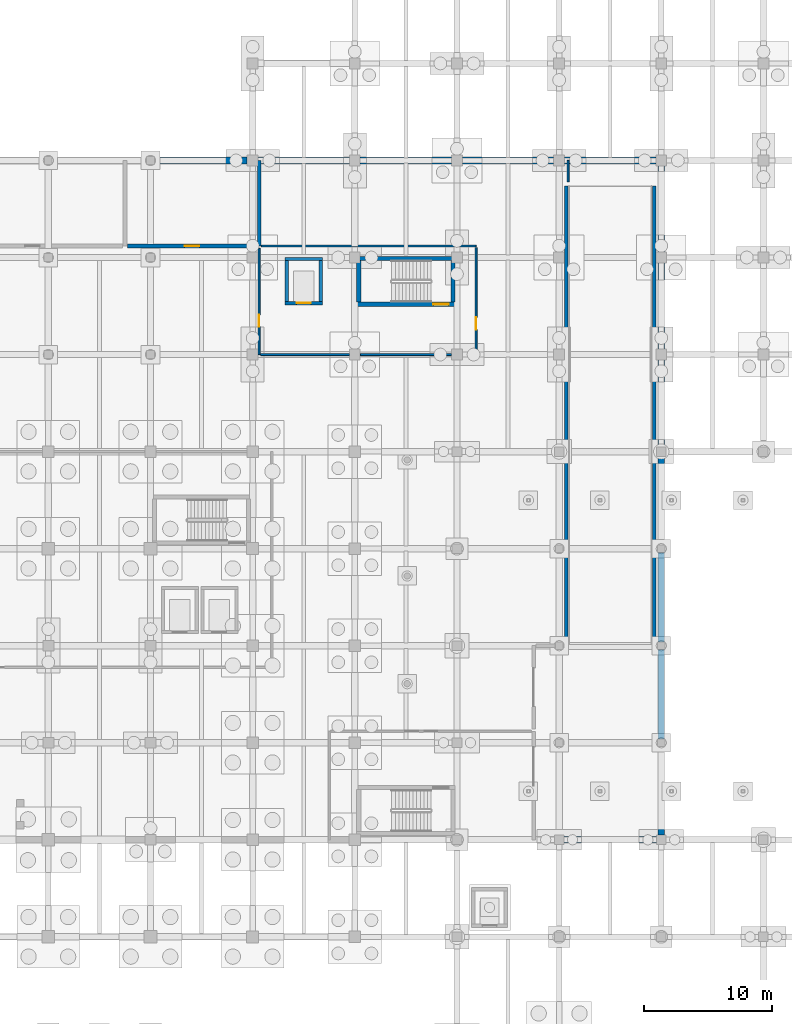
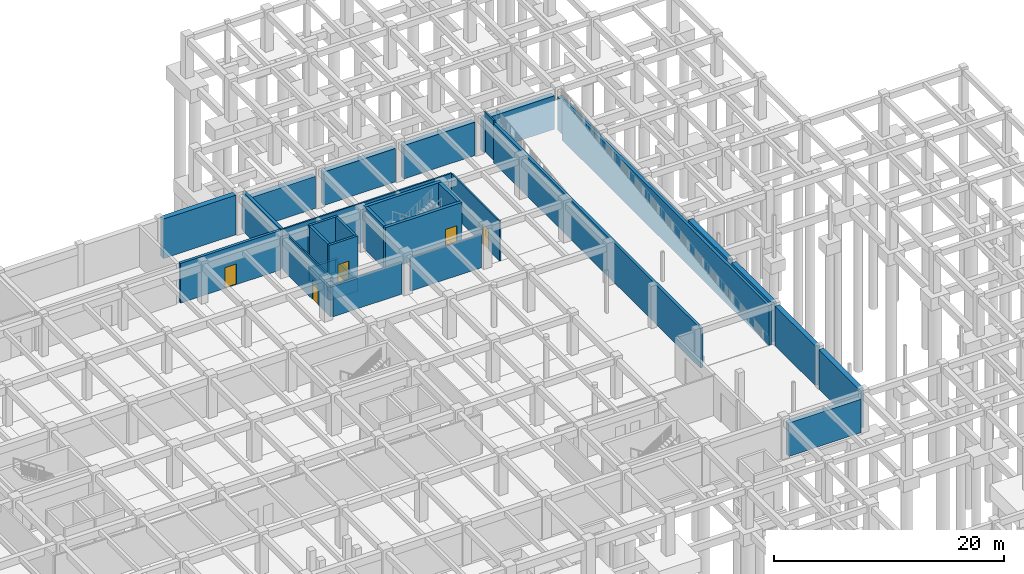
# One storey, part 38 of 49: 35 walls, 5 doors, 5 openings.
"""IFC4 building model written with IfcOpenShell, lengths in metres."""

import ifcopenshell
import ifcopenshell.guid

model = None  # the IFC model being written
_history = None  # IfcOwnerHistory: only IFC2X3 demands one
_inside = {}  # id of a spatial element -> (the spatial element, [elements in it])
_under = {}  # id of a project, library or spatial element -> (it, [spatial elements below it])
_declared = {}  # id of a project -> (the project, [libraries it declares])
_typed = {}  # id of a type object -> (the type object, [elements of that type])
_made_of = {}  # id of a material, layer set ... -> (it, [elements and type objects made of it])


def new_model(schema):
    """Start an empty IFC model of exactly this schema.

    Asked for "IFC4X3", IfcOpenShell would pick the latest addendum, in which some entities
    have other attributes; the version numbers below select the first issue.
    IFC2X3 requires an IfcOwnerHistory on every rooted entity: one is made here for all.
    """
    global model, _history
    if schema == "IFC4X3":
        model = ifcopenshell.file(schema_version=(4, 3, 0, 0))
    else:
        model = ifcopenshell.file(schema=schema)
    _inside.clear()
    _under.clear()
    _declared.clear()
    _typed.clear()
    _made_of.clear()
    _history = None
    if model.schema == "IFC2X3":
        org = make("IfcOrganization", Name="unknown")
        user = make(
            "IfcPersonAndOrganization",
            ThePerson=make("IfcPerson", FamilyName="unknown"),
            TheOrganization=org,
        )
        app = make(
            "IfcApplication",
            ApplicationDeveloper=org,
            Version="unknown",
            ApplicationFullName="unknown",
            ApplicationIdentifier="unknown",
        )
        _history = make(
            "IfcOwnerHistory",
            OwningUser=user,
            OwningApplication=app,
            ChangeAction="ADDED",
            CreationDate=0,
        )
    return model


def make(cls, **values):
    """One entity of the class cls with the attributes given. An attribute that is None is left unset."""
    return model.create_entity(
        cls, **{name: value for name, value in values.items() if value is not None}
    )


def rooted(cls, **values):
    """An entity with a GlobalId (a new one), such as an element, a storey or a relation."""
    return make(cls, GlobalId=ifcopenshell.guid.new(), OwnerHistory=_history, **values)


def si_unit(unit_type, name, prefix=None):
    """IfcSIUnit, for example si_unit("LENGTHUNIT", "METRE", prefix="MILLI")."""
    return make("IfcSIUnit", UnitType=unit_type, Prefix=prefix, Name=name)


def assignment(units):
    """IfcUnitAssignment: the units of a project."""
    return None if units is None else make("IfcUnitAssignment", Units=units)


def point(xyz):
    """IfcCartesianPoint."""
    return None if xyz is None else make("IfcCartesianPoint", Coordinates=xyz)


def direction(xyz):
    """IfcDirection."""
    return None if xyz is None else make("IfcDirection", DirectionRatios=xyz)


def frame(location, z_axis=None, x_axis=None):
    """IfcAxis2Placement3D, a coordinate frame: its origin and axes. An axis left out is left unset."""
    return make(
        "IfcAxis2Placement3D",
        Location=point(location),
        Axis=direction(z_axis),
        RefDirection=direction(x_axis),
    )


def frame_2d(location, x_axis=None):
    """IfcAxis2Placement2D, a coordinate frame in the plane: its origin and x axis."""
    return make(
        "IfcAxis2Placement2D", Location=point(location), RefDirection=direction(x_axis)
    )


def origin():
    """The frame at (0, 0, 0) with its axes left unset."""
    return frame((0.0, 0.0, 0.0))


def place(relative_to, where):
    """IfcLocalPlacement: puts the frame where relative to a parent placement (None: the world)."""
    return make(
        "IfcLocalPlacement", PlacementRelTo=relative_to, RelativePlacement=where
    )


def context(
    kind, dimensions, precision=None, world=None, true_north=None, identifier=None
):
    """IfcGeometricRepresentationContext, for example the 3D "Model" context."""
    return make(
        "IfcGeometricRepresentationContext",
        ContextIdentifier=identifier,
        ContextType=kind,
        CoordinateSpaceDimension=dimensions,
        Precision=precision,
        WorldCoordinateSystem=world,
        TrueNorth=true_north,
    )


def subcontext(parent, identifier, kind, view, scale=None):
    """IfcGeometricRepresentationSubContext, for example "Body" below "Model"."""
    return make(
        "IfcGeometricRepresentationSubContext",
        ContextIdentifier=identifier,
        ContextType=kind,
        ParentContext=parent,
        TargetScale=scale,
        TargetView=view,
    )


def project(units=None, contexts=None):
    """IfcProject with its units and contexts."""
    return rooted(
        "IfcProject",
        Name="project",
        RepresentationContexts=contexts,
        UnitsInContext=assignment(units),
    )


def spatial(cls, under=None, at=None, **own):
    """A site, building, storey or space (cls), placed at a placement, below another one or the project."""
    s = rooted(cls, ObjectPlacement=at, **own)
    if under is not None:
        _under.setdefault(under.id(), (under, []))[1].append(s)
    return s


def profile(cls, at=None, kind="AREA", **sizes):
    """A parametric profile (cls). Its sizes go by their IFC names, for example OverallWidth=200.0."""
    return make(cls, ProfileType=kind, Position=at, **sizes)


def rectangle(**sizes):
    """IfcRectangleProfileDef."""
    return profile("IfcRectangleProfileDef", **sizes)


def extrude(swept, where, along, depth):
    """IfcExtrudedAreaSolid: the profile swept, set in the frame where, extruded along a direction by depth."""
    return make(
        "IfcExtrudedAreaSolid",
        SweptArea=swept,
        Position=where,
        ExtrudedDirection=direction(along),
        Depth=depth,
    )


def shape(context_of_items, identifier, shape_type, items):
    """IfcShapeRepresentation: the items that make up one representation, for example the "Body"."""
    return make(
        "IfcShapeRepresentation",
        ContextOfItems=context_of_items,
        RepresentationIdentifier=identifier,
        RepresentationType=shape_type,
        Items=items,
    )


def material(Name=None, Category=None):
    """IfcMaterial."""
    return make("IfcMaterial", Name=Name, Category=Category)


def layer(
    of_material, thickness, ventilated=None, Name=None, Category=None, Priority=None
):
    """IfcMaterialLayer: one layer of a wall or slab, of a material (None: an air gap)."""
    return make(
        "IfcMaterialLayer",
        Material=of_material,
        LayerThickness=thickness,
        IsVentilated=ventilated,
        Name=Name,
        Category=Category,
        Priority=Priority,
    )


def layer_set(layers, Name=None):
    """IfcMaterialLayerSet."""
    return make("IfcMaterialLayerSet", MaterialLayers=layers, LayerSetName=Name)


def made_of(thing, what):
    """Note that an element or type object is made of a material, layer set ...; save() writes the relation."""
    if what is not None:
        _made_of.setdefault(what.id(), (what, []))[1].append(thing)
    return thing


def type_object(cls, material=None, **own):
    """A type object (cls), such as IfcWallType, which elements share."""
    return made_of(rooted(cls, **own), material)


def element(
    cls,
    number,
    at=None,
    inside=None,
    cuts=None,
    type_object=None,
    material=None,
    context=None,
    identifier="Body",
    shape_type=None,
    held_by="IfcProductDefinitionShape",
    body=None,
    shapes=None,
    **own,
):
    """One element of the class cls, such as IfcWall. Its Tag is "e" and its number.

    at: its placement. inside: the storey or other place that contains it. cuts: it is an
    opening in that element (IfcRelVoidsElement). A single representation is given by context,
    identifier, shape_type and body (its items); several are given by shapes. held_by: the class
    of the entity that holds the representations. save() writes the other relations.
    """
    e = rooted(cls, Tag="e%d" % number, ObjectPlacement=at, **own)
    if body is not None:
        shapes = [shape(context, identifier, shape_type, body)]
    if shapes is not None:
        e.Representation = make(held_by, Representations=shapes)
    if inside is not None:
        _inside.setdefault(inside.id(), (inside, []))[1].append(e)
    if cuts is not None:
        rooted(
            "IfcRelVoidsElement", RelatingBuildingElement=cuts, RelatedOpeningElement=e
        )
    if type_object is not None:
        _typed.setdefault(type_object.id(), (type_object, []))[1].append(e)
    return made_of(e, material)


def fill(opening, filler):
    """IfcRelFillsElement: the door or window that sits in an opening."""
    return rooted(
        "IfcRelFillsElement",
        RelatingOpeningElement=opening,
        RelatedBuildingElement=filler,
    )


def aggregate(whole, parts):
    """IfcRelAggregates: a whole, such as a stair, and the parts it consists of."""
    return rooted("IfcRelAggregates", RelatingObject=whole, RelatedObjects=parts)


def save(model, path):
    """Write the relations noted so far, then the file.

    IfcRelAggregates (storeys below a building ...), IfcRelContainedInSpatialStructure (elements
    in a storey), IfcRelDefinesByType, IfcRelAssociatesMaterial and IfcRelDeclares: one each for
    every whole, place, type object, material and project.
    """
    for whole, parts in _under.values():
        aggregate(whole, parts)
    for where, things in _inside.values():
        rooted(
            "IfcRelContainedInSpatialStructure",
            RelatedElements=things,
            RelatingStructure=where,
        )
    for kind, things in _typed.values():
        rooted("IfcRelDefinesByType", RelatedObjects=things, RelatingType=kind)
    for what, things in _made_of.values():
        rooted("IfcRelAssociatesMaterial", RelatedObjects=things, RelatingMaterial=what)
    for by, libraries in _declared.values():
        rooted("IfcRelDeclares", RelatingContext=by, RelatedDefinitions=libraries)
    model.write(path)


model = new_model("IFC4")

# Units and contexts
model_context = context("Model", 3, precision=1e-05, world=origin(), true_north=direction((0.0, 1.0)))
body_context = subcontext(model_context, "Body", "Model", "MODEL_VIEW")
ifc_project = project(units=[si_unit("LENGTHUNIT", "METRE"), si_unit("AREAUNIT", "SQUARE_METRE"), si_unit("VOLUMEUNIT", "CUBIC_METRE"), si_unit("PLANEANGLEUNIT", "RADIAN"), si_unit("MASSUNIT", "GRAM", prefix="KILO")], contexts=[model_context])

# Site, building, storey
site_placement = place(None, origin())
site = spatial("IfcSite", under=ifc_project, at=site_placement, CompositionType="ELEMENT")
building_placement = place(site_placement, origin())
building = spatial("IfcBuilding", under=site, at=building_placement, Name="Zantavel Square City Hall", CompositionType="ELEMENT")
storey_placement = place(building_placement, frame((0.0, 0.0, -4.5)))
storey = spatial("IfcBuildingStorey", under=building, at=storey_placement, Name="B1", CompositionType="ELEMENT", Elevation=-4.5)

# Walls
ifc_material_1 = material(Name="Concrete C35/45", Category="concrete")
ifc_layer_1 = layer(ifc_material_1, 0.280029296875, Name="Concrete C35/45")
ifc_layer_set_1 = layer_set([ifc_layer_1], Name="Concrete C35/45")
wall_type_1 = type_object("IfcWallType", Name="Archive & Substation Vault Wall 280mm", PredefinedType="STANDARD", material=ifc_layer_set_1)
for number, where, z_axis, x_axis, name in (
    (1, (128.56005859375, 53.199951171875, 0.0), (0.0, 0.0, 1.0), (0.0, 1.0, 0.0), "B1 Vehicle Ramp Cheek Wall W"),
    (2, (135.43994140625, 89.199951171875, 0.0), (0.0, 0.0, 1.0), (0.0, -1.0, 0.0), "B1 Vehicle Ramp Cheek Wall E"),
):
    element("IfcWall", number, at=place(storey_placement, frame(where, z_axis=z_axis, x_axis=x_axis)), inside=storey, type_object=wall_type_1, Name=name, PredefinedType="STANDARD", context=body_context, shape_type="SweptSolid", body=[
        extrude(rectangle(XDim=36.0, YDim=0.280029296875, at=frame_2d((18.0, 0.0))), origin(), (0.0, 0.0, 1.0), 4.199951171875),
    ])
wall_1_placement = place(storey_placement, frame((104.5, 91.199951171875, 0.0), z_axis=(0.0, 0.0, 1.0), x_axis=(0.0, -1.0, 0.0)))
element("IfcWall", 3, at=wall_1_placement, inside=storey, type_object=wall_type_1, Name="B1 Interior Wall IW-B1-0021", PredefinedType="STANDARD", context=body_context, shape_type="SweptSolid", body=[
    extrude(rectangle(XDim=6.699951171875, YDim=0.280029296875, at=frame_2d((3.35009765625, 0.0))), origin(), (0.0, 0.0, 1.0), 4.199951171875),
])

# Wall, opening, door
wall_2_placement = place(storey_placement, frame((104.31005859375, 84.5, 0.0), z_axis=(0.0, 0.0, 1.0), x_axis=(-1.0, 0.0, 0.0)))
wall_2 = element("IfcWall", 4, at=wall_2_placement, inside=storey, type_object=wall_type_1, Name="B1 Interior Wall IW-B1-0022", PredefinedType="STANDARD", context=body_context, shape_type="SweptSolid", body=[
    extrude(rectangle(XDim=10.1201171875, YDim=0.280029296875, at=frame_2d((5.06005859375, 0.0))), origin(), (0.0, 0.0, 1.0), 4.199951171875),
])
opening_1_placement = place(wall_2_placement, frame((4.485107421875, 0.0, 0.0)))
opening_1 = element("IfcOpeningElement", 5, at=opening_1_placement, cuts=wall_2, Name="Opening D-0010", PredefinedType="OPENING", context=body_context, shape_type="SweptSolid", body=[
    extrude(rectangle(XDim=1.14990234375, YDim=2.199951171875, at=frame_2d((0.574951171875, 1.10009765625))), frame((0.0, 0.14990234375, 0.0), z_axis=(0.0, -1.0, 0.0), x_axis=(1.0, 0.0, 0.0)), (0.0, 0.0, 1.0), 0.300048828125),
])
ifc_material_2 = material(Name="Steel ASTM A500 Grade B", Category="steel")
door_type_1 = type_object("IfcDoorType", Name="Archive & Plant Fire Door 1150x2200 FD90S", OperationType="NOTDEFINED", PredefinedType="DOOR", material=ifc_material_2)
door_1_placement = place(opening_1_placement, origin())
door_1 = element("IfcDoor", 6, at=door_1_placement, inside=storey, type_object=door_type_1, Name="B1 HVAC Thermal Plant Room Door", OperationType="SINGLE_SWING_RIGHT", OverallHeight=2.199951171875, OverallWidth=1.14990234375, PredefinedType="DOOR", context=body_context, shape_type="SweptSolid", body=[
    extrude(rectangle(XDim=1.14990234375, YDim=2.199951171875, at=frame_2d((0.574951171875, 1.10009765625))), frame((0.0, 0.02490234375, 0.0), z_axis=(0.0, -1.0, 0.0), x_axis=(1.0, 0.0, 0.0)), (0.0, 0.0, 1.0), 0.050048828125),
])
fill(opening_1, door_1)

# Walls
ifc_material_3 = material(Name="Concrete C40/50", Category="concrete")
ifc_layer_2 = layer(ifc_material_3, 0.47998046875, Name="Concrete C40/50")
ifc_layer_set_2 = layer_set([ifc_layer_2], Name="Concrete C40/50")
wall_type_2 = type_object("IfcWallType", Name="Basement Retaining Wall RC 480mm C40/50", PredefinedType="SHEAR", material=ifc_layer_set_2)
for number, where, z_axis, x_axis, name in (
    (7, (136.0, 90.77490234375, 0.0), (0.0, 0.0, 1.0), (0.0, -1.0, 0.0), "B1 Exterior Wall EW-B1-016"),
    (8, (136.0, 83.175048828125, 0.0), (0.0, 0.0, 1.0), (0.0, -1.0, 0.0), "B1 Exterior Wall EW-B1-017"),
):
    element("IfcWall", number, at=place(storey_placement, frame(where, z_axis=z_axis, x_axis=x_axis)), inside=storey, type_object=wall_type_2, Name=name, PredefinedType="SHEAR", context=body_context, shape_type="SweptSolid", body=[
        extrude(rectangle(XDim=6.75, YDim=0.47998046875, at=frame_2d((3.375, 0.0))), origin(), (0.0, 0.0, 1.0), 3.5),
    ])
wall_3_placement = place(storey_placement, frame((136.0, 75.574951171875, 0.0), z_axis=(0.0, 0.0, 1.0), x_axis=(0.0, -1.0, 0.0)))
element("IfcWall", 9, at=wall_3_placement, inside=storey, type_object=wall_type_2, Name="B1 Exterior Wall EW-B1-018", PredefinedType="SHEAR", context=body_context, shape_type="SweptSolid", body=[
    extrude(rectangle(XDim=6.800048828125, YDim=0.47998046875, at=frame_2d((3.39990234375, 0.0))), origin(), (0.0, 0.0, 1.0), 3.5),
])
wall_4_placement = place(storey_placement, frame((136.0, 68.02490234375, 0.0), z_axis=(0.0, 0.0, 1.0), x_axis=(0.0, -1.0, 0.0)))
element("IfcWall", 10, at=wall_4_placement, inside=storey, type_object=wall_type_2, Name="B1 Exterior Wall EW-B1-019", PredefinedType="SHEAR", context=body_context, shape_type="SweptSolid", body=[
    extrude(rectangle(XDim=6.9248046875, YDim=0.47998046875, at=frame_2d((3.46240234375, 0.0))), origin(), (0.0, 0.0, 1.0), 4.199951171875),
])
for number, where, z_axis, x_axis, name in (
    (11, (136.0, 60.5, 0.0), (0.0, 0.0, 1.0), (0.0, -1.0, 0.0), "B1 Exterior Wall EW-B1-020"),
    (12, (136.0, 52.89990234375, 0.0), (0.0, 0.0, 1.0), (0.0, -1.0, 0.0), "B1 Exterior Wall EW-B1-021"),
):
    element("IfcWall", number, at=place(storey_placement, frame(where, z_axis=z_axis, x_axis=x_axis)), inside=storey, type_object=wall_type_2, Name=name, PredefinedType="SHEAR", context=body_context, shape_type="SweptSolid", body=[
        extrude(rectangle(XDim=7.0, YDim=0.47998046875, at=frame_2d((3.5, 0.0))), origin(), (0.0, 0.0, 1.0), 4.199951171875),
    ])
wall_5_placement = place(storey_placement, frame((136.0, 45.300048828125, 0.0), z_axis=(0.0, 0.0, 1.0), x_axis=(0.0, -1.0, 0.0)))
element("IfcWall", 13, at=wall_5_placement, inside=storey, type_object=wall_type_2, Name="B1 Exterior Wall EW-B1-022", PredefinedType="SHEAR", context=body_context, shape_type="SweptSolid", body=[
    extrude(rectangle(XDim=6.925048828125, YDim=0.47998046875, at=frame_2d((3.46240234375, 0.0))), origin(), (0.0, 0.0, 1.0), 4.199951171875),
])
wall_6_placement = place(storey_placement, frame((135.625, 38.0, 0.0), z_axis=(0.0, 0.0, 1.0), x_axis=(-1.0, 0.0, 0.0)))
element("IfcWall", 14, at=wall_6_placement, inside=storey, type_object=wall_type_2, Name="B1 Exterior Wall EW-B1-023", PredefinedType="SHEAR", context=body_context, shape_type="SweptSolid", body=[
    extrude(rectangle(XDim=7.25, YDim=0.47998046875, at=frame_2d((3.625, 0.0))), origin(), (0.0, 0.0, 1.0), 3.550048828125),
])
ifc_layer_3 = layer(ifc_material_3, 0.52001953125, Name="Concrete C40/50")
ifc_layer_set_3 = layer_set([ifc_layer_3], Name="Concrete C40/50")
wall_type_3 = type_object("IfcWallType", Name="Cistern Perimeter Retaining Wall RC 520mm C40/50", PredefinedType="SHEAR", material=ifc_layer_set_3)
wall_7_placement = place(storey_placement, frame((96.300048828125, 91.199951171875, 0.0), z_axis=(0.0, 0.0, 1.0), x_axis=(1.0, 0.0, 0.0)))
element("IfcWall", 15, at=wall_7_placement, inside=storey, type_object=wall_type_3, Name="B1 Exterior Wall EW-B1-011", PredefinedType="SHEAR", context=body_context, shape_type="SweptSolid", body=[
    extrude(rectangle(XDim=7.27490234375, YDim=0.52001953125, at=frame_2d((3.637451171875, 0.0))), origin(), (0.0, 0.0, 1.0), 4.199951171875),
])
wall_8_placement = place(storey_placement, frame((104.425048828125, 91.199951171875, 0.0), z_axis=(0.0, 0.0, 1.0), x_axis=(1.0, 0.0, 0.0)))
element("IfcWall", 16, at=wall_8_placement, inside=storey, type_object=wall_type_3, Name="B1 Exterior Wall EW-B1-012", PredefinedType="SHEAR", context=body_context, shape_type="SweptSolid", body=[
    extrude(rectangle(XDim=7.14990234375, YDim=0.52001953125, at=frame_2d((3.574951171875, 0.0))), origin(), (0.0, 0.0, 1.0), 3.39990234375),
])
for number, where, z_axis, x_axis, name in (
    (17, (112.425048828125, 91.199951171875, 0.0), (0.0, 0.0, 1.0), (1.0, 0.0, 0.0), "B1 Exterior Wall EW-B1-013"),
    (18, (120.425048828125, 91.199951171875, 0.0), (0.0, 0.0, 1.0), (1.0, 0.0, 0.0), "B1 Exterior Wall EW-B1-014"),
    (19, (128.425048828125, 91.199951171875, 0.0), (0.0, 0.0, 1.0), (1.0, 0.0, 0.0), "B1 Exterior Wall EW-B1-015"),
):
    element("IfcWall", number, at=place(storey_placement, frame(where, z_axis=z_axis, x_axis=x_axis)), inside=storey, type_object=wall_type_3, Name=name, PredefinedType="SHEAR", context=body_context, shape_type="SweptSolid", body=[
        extrude(rectangle(XDim=7.14990234375, YDim=0.52001953125, at=frame_2d((3.574951171875, 0.0))), origin(), (0.0, 0.0, 1.0), 3.550048828125),
    ])

# Wall, opening, door
ifc_layer_4 = layer(ifc_material_3, 0.320068359375, Name="Concrete C40/50")
ifc_layer_set_4 = layer_set([ifc_layer_4], Name="Concrete C40/50")
wall_type_4 = type_object("IfcWallType", Name="Core Shear Wall RC 320mm C40/50", PredefinedType="SHEAR", material=ifc_layer_set_4)
wall_9_placement = place(storey_placement, frame((119.85009765625, 79.93994140625, 0.0), z_axis=(0.0, 0.0, 1.0), x_axis=(-1.0, 0.0, 0.0)))
wall_9 = element("IfcWall", 20, at=wall_9_placement, inside=storey, type_object=wall_type_4, Name="B1 Exit Stair 2 North-East Core Shear Wall South", PredefinedType="SHEAR", context=body_context, shape_type="SweptSolid", body=[
    extrude(rectangle(XDim=7.7001953125, YDim=0.320068359375, at=frame_2d((3.85009765625, 0.0))), origin(), (0.0, 0.0, 1.0), 4.5),
])
opening_2_placement = place(wall_9_placement, frame((0.5, 0.0, 0.0)))
opening_2 = element("IfcOpeningElement", 21, at=opening_2_placement, cuts=wall_9, Name="Opening SD-007", PredefinedType="OPENING", context=body_context, shape_type="SweptSolid", body=[
    extrude(rectangle(XDim=1.199951171875, YDim=2.199951171875, at=frame_2d((0.60009765625, 1.10009765625))), frame((0.0, 0.169921875, 0.0), z_axis=(0.0, -1.0, 0.0), x_axis=(1.0, 0.0, 0.0)), (0.0, 0.0, 1.0), 0.340087890625),
])
door_type_2 = type_object("IfcDoorType", Name="Enclosed Exit Stairwell Fire Door 1200x2200 FD90S", OperationType="NOTDEFINED", PredefinedType="DOOR", material=ifc_material_2)
door_2_placement = place(opening_2_placement, origin())
door_2 = element("IfcDoor", 22, at=door_2_placement, inside=storey, type_object=door_type_2, Name="B1 Exit Stair 2 North-East Core Fire Door", OperationType="SINGLE_SWING_LEFT", OverallHeight=2.199951171875, OverallWidth=1.199951171875, PredefinedType="DOOR", context=body_context, shape_type="SweptSolid", body=[
    extrude(rectangle(XDim=1.199951171875, YDim=2.199951171875, at=frame_2d((0.60009765625, 1.10009765625))), frame((0.0, 0.02490234375, 0.0), z_axis=(0.0, -1.0, 0.0), x_axis=(1.0, 0.0, 0.0)), (0.0, 0.0, 1.0), 0.050048828125),
])
fill(opening_2, door_2)

# Walls
wall_10_placement = place(storey_placement, frame((112.31005859375, 80.10009765625, 0.0), z_axis=(0.0, 0.0, 1.0), x_axis=(0.0, 1.0, 0.0)))
element("IfcWall", 23, at=wall_10_placement, inside=storey, type_object=wall_type_4, Name="B1 Exit Stair 2 North-East Core Shear Wall West", PredefinedType="SHEAR", context=body_context, shape_type="SweptSolid", body=[
    extrude(rectangle(XDim=3.27001953125, YDim=0.320068359375, at=frame_2d((1.635009765625, 0.0))), origin(), (0.0, 0.0, 1.0), 4.5),
])
wall_11_placement = place(storey_placement, frame((112.14990234375, 83.530029296875, 0.0), z_axis=(0.0, 0.0, 1.0), x_axis=(1.0, 0.0, 0.0)))
element("IfcWall", 24, at=wall_11_placement, inside=storey, type_object=wall_type_4, Name="B1 Exit Stair 2 North-East Core Shear Wall North", PredefinedType="SHEAR", context=body_context, shape_type="SweptSolid", body=[
    extrude(rectangle(XDim=7.7001953125, YDim=0.320068359375, at=frame_2d((3.85009765625, 0.0))), origin(), (0.0, 0.0, 1.0), 4.5),
])
wall_12_placement = place(storey_placement, frame((119.68994140625, 83.3701171875, 0.0), z_axis=(0.0, 0.0, 1.0), x_axis=(0.0, -1.0, 0.0)))
element("IfcWall", 25, at=wall_12_placement, inside=storey, type_object=wall_type_4, Name="B1 Exit Stair 2 North-East Core Shear Wall East", PredefinedType="SHEAR", context=body_context, shape_type="SweptSolid", body=[
    extrude(rectangle(XDim=3.27001953125, YDim=0.320068359375, at=frame_2d((1.635009765625, 0.0))), origin(), (0.0, 0.0, 1.0), 4.5),
])

# Wall, opening, door
ifc_material_4 = material(Name="Gypsum acoustic stud assembly", Category="masonry")
ifc_layer_5 = layer(ifc_material_4, 0.14990234375, Name="Gypsum acoustic stud assembly")
ifc_layer_set_5 = layer_set([ifc_layer_5], Name="Gypsum acoustic stud assembly")
wall_type_5 = type_object("IfcWallType", Name="Department Office Partition 150mm", PredefinedType="PARTITIONING", material=ifc_layer_set_5)
wall_13_placement = place(storey_placement, frame((104.5, 76.0, 0.0), z_axis=(0.0, 0.0, 1.0), x_axis=(0.0, 1.0, 0.0)))
wall_13 = element("IfcWall", 26, at=wall_13_placement, inside=storey, type_object=wall_type_5, Name="B1 Interior Wall IW-B1-0042", PredefinedType="PARTITIONING", context=body_context, shape_type="SweptSolid", body=[
    extrude(rectangle(XDim=8.31005859375, YDim=0.14990234375, at=frame_2d((4.155029296875, 0.0))), origin(), (0.0, 0.0, 1.0), 4.199951171875),
])
opening_3_placement = place(wall_13_placement, frame((2.179931640625, 0.0, 0.0)))
opening_3 = element("IfcOpeningElement", 27, at=opening_3_placement, cuts=wall_13, Name="Opening D-0022", PredefinedType="OPENING", context=body_context, shape_type="SweptSolid", body=[
    extrude(rectangle(XDim=0.949951171875, YDim=2.10009765625, at=frame_2d((0.47509765625, 1.050048828125))), frame((0.0, 0.0849609375, 0.0), z_axis=(0.0, -1.0, 0.0), x_axis=(1.0, 0.0, 0.0)), (0.0, 0.0, 1.0), 0.169921875),
])
ifc_material_5 = material(Name="Solid oak hardwood", Category="wood")
door_type_3 = type_object("IfcDoorType", Name="Office Internal Oak Single Door 950x2100", OperationType="NOTDEFINED", PredefinedType="DOOR", material=ifc_material_5)
door_3_placement = place(opening_3_placement, origin())
door_3 = element("IfcDoor", 28, at=door_3_placement, inside=storey, type_object=door_type_3, Name="B1 Subterranean Municipal Car Park Door", OperationType="SINGLE_SWING_RIGHT", OverallHeight=2.10009765625, OverallWidth=0.949951171875, PredefinedType="DOOR", context=body_context, shape_type="SweptSolid", body=[
    extrude(rectangle(XDim=0.949951171875, YDim=2.10009765625, at=frame_2d((0.47509765625, 1.050048828125))), frame((0.0, 0.02490234375, 0.0), z_axis=(0.0, -1.0, 0.0), x_axis=(1.0, 0.0, 0.0)), (0.0, 0.0, 1.0), 0.050048828125),
])
fill(opening_3, door_3)

# Wall
wall_14_placement = place(storey_placement, frame((104.68994140625, 84.5, 0.0), z_axis=(0.0, 0.0, 1.0), x_axis=(1.0, 0.0, 0.0)))
element("IfcWall", 29, at=wall_14_placement, inside=storey, type_object=wall_type_5, Name="B1 Interior Wall IW-B1-0043", PredefinedType="PARTITIONING", context=body_context, shape_type="SweptSolid", body=[
    extrude(rectangle(XDim=16.81005859375, YDim=0.14990234375, at=frame_2d((8.405029296875, 0.0))), origin(), (0.0, 0.0, 1.0), 4.199951171875),
])

# Wall, opening, door
wall_15_placement = place(storey_placement, frame((121.5, 84.375, 0.0), z_axis=(0.0, 0.0, 1.0), x_axis=(0.0, -1.0, 0.0)))
wall_15 = element("IfcWall", 30, at=wall_15_placement, inside=storey, type_object=wall_type_5, Name="B1 Interior Wall IW-B1-0044", PredefinedType="PARTITIONING", context=body_context, shape_type="SweptSolid", body=[
    extrude(rectangle(XDim=8.375, YDim=0.14990234375, at=frame_2d((4.1875, 0.0))), origin(), (0.0, 0.0, 1.0), 4.199951171875),
])
opening_4_placement = place(wall_15_placement, frame((5.4375, 0.0, 0.0)))
opening_4 = element("IfcOpeningElement", 31, at=opening_4_placement, cuts=wall_15, Name="Opening D-0017", PredefinedType="OPENING", context=body_context, shape_type="SweptSolid", body=[
    extrude(rectangle(XDim=1.0, YDim=2.14990234375, at=frame_2d((0.5, 1.074951171875))), frame((0.0, 0.0849609375, 0.0), z_axis=(0.0, -1.0, 0.0), x_axis=(1.0, 0.0, 0.0)), (0.0, 0.0, 1.0), 0.169921875),
])
door_type_4 = type_object("IfcDoorType", Name="Suite Internal Oak Single Door 1000x2150", OperationType="NOTDEFINED", PredefinedType="DOOR", material=ifc_material_5)
door_4_placement = place(opening_4_placement, origin())
door_4 = element("IfcDoor", 32, at=door_4_placement, inside=storey, type_object=door_type_4, Name="B1 Subterranean Municipal Car Park Door", OperationType="SINGLE_SWING_LEFT", OverallHeight=2.14990234375, OverallWidth=1.0, PredefinedType="DOOR", context=body_context, shape_type="SweptSolid", body=[
    extrude(rectangle(XDim=1.0, YDim=2.14990234375, at=frame_2d((0.5, 1.074951171875))), frame((0.0, 0.02490234375, 0.0), z_axis=(0.0, -1.0, 0.0), x_axis=(1.0, 0.0, 0.0)), (0.0, 0.0, 1.0), 0.050048828125),
])
fill(opening_4, door_4)

# Walls
wall_16_placement = place(storey_placement, frame((119.56494140625, 76.0, 0.0), z_axis=(0.0, 0.0, 1.0), x_axis=(-1.0, 0.0, 0.0)))
element("IfcWall", 33, at=wall_16_placement, inside=storey, type_object=wall_type_5, Name="B1 Interior Wall IW-B1-0045", PredefinedType="PARTITIONING", context=body_context, shape_type="SweptSolid", body=[
    extrude(rectangle(XDim=7.1298828125, YDim=0.14990234375, at=frame_2d((3.56494140625, 0.0))), origin(), (0.0, 0.0, 1.0), 3.550048828125),
])
wall_17_placement = place(storey_placement, frame((111.56494140625, 76.0, 0.0), z_axis=(0.0, 0.0, 1.0), x_axis=(-1.0, 0.0, 0.0)))
element("IfcWall", 34, at=wall_17_placement, inside=storey, type_object=wall_type_5, Name="B1 Interior Wall IW-B1-0046", PredefinedType="PARTITIONING", context=body_context, shape_type="SweptSolid", body=[
    extrude(rectangle(XDim=6.93994140625, YDim=0.14990234375, at=frame_2d((3.469970703125, 0.0))), origin(), (0.0, 0.0, 1.0), 3.39990234375),
])
wall_18_placement = place(storey_placement, frame((128.699951171875, 91.199951171875, 0.0), z_axis=(0.0, 0.0, 1.0), x_axis=(0.0, -1.0, 0.0)))
element("IfcWall", 35, at=wall_18_placement, inside=storey, type_object=wall_type_5, Name="B1 Interior Wall IW-B1-0047", PredefinedType="PARTITIONING", context=body_context, shape_type="SweptSolid", body=[
    extrude(rectangle(XDim=1.679931640625, YDim=0.14990234375, at=frame_2d((0.83984375, 0.0))), origin(), (0.0, 0.0, 1.0), 4.199951171875),
])
ifc_layer_6 = layer(ifc_material_3, 0.25, Name="Concrete C40/50")
ifc_layer_set_6 = layer_set([ifc_layer_6], Name="Concrete C40/50")
wall_type_6 = type_object("IfcWallType", Name="Lift Shaft Wall RC 250mm C40/50", PredefinedType="SHEAR", material=ifc_layer_set_6)
wall_19_placement = place(storey_placement, frame((109.449951171875, 80.02490234375, -1.35009765625), z_axis=(0.0, 0.0, 1.0), x_axis=(-1.0, 0.0, 0.0)))
element("IfcWall", 36, at=wall_19_placement, inside=storey, type_object=wall_type_6, Name="Lift LF06 Pit Wall S", PredefinedType="SHEAR", context=body_context, shape_type="SweptSolid", body=[
    extrude(rectangle(XDim=2.89990234375, YDim=0.25, at=frame_2d((1.449951171875, 0.0))), origin(), (0.0, 0.0, 1.0), 1.35009765625),
])
wall_20_placement = place(storey_placement, frame((106.675048828125, 80.14990234375, -1.35009765625), z_axis=(0.0, 0.0, 1.0), x_axis=(0.0, 1.0, 0.0)))
element("IfcWall", 37, at=wall_20_placement, inside=storey, type_object=wall_type_6, Name="Lift LF06 Pit Wall W", PredefinedType="SHEAR", context=body_context, shape_type="SweptSolid", body=[
    extrude(rectangle(XDim=3.2001953125, YDim=0.25, at=frame_2d((1.60009765625, 0.0))), origin(), (0.0, 0.0, 1.0), 1.35009765625),
])
wall_21_placement = place(storey_placement, frame((106.550048828125, 83.47509765625, -1.35009765625), z_axis=(0.0, 0.0, 1.0), x_axis=(1.0, 0.0, 0.0)))
element("IfcWall", 38, at=wall_21_placement, inside=storey, type_object=wall_type_6, Name="Lift LF06 Pit Wall N", PredefinedType="SHEAR", context=body_context, shape_type="SweptSolid", body=[
    extrude(rectangle(XDim=2.89990234375, YDim=0.25, at=frame_2d((1.449951171875, 0.0))), origin(), (0.0, 0.0, 1.0), 1.35009765625),
])
wall_22_placement = place(storey_placement, frame((109.324951171875, 83.35009765625, -1.35009765625), z_axis=(0.0, 0.0, 1.0), x_axis=(0.0, -1.0, 0.0)))
element("IfcWall", 39, at=wall_22_placement, inside=storey, type_object=wall_type_6, Name="Lift LF06 Pit Wall E", PredefinedType="SHEAR", context=body_context, shape_type="SweptSolid", body=[
    extrude(rectangle(XDim=3.2001953125, YDim=0.25, at=frame_2d((1.60009765625, 0.0))), origin(), (0.0, 0.0, 1.0), 1.35009765625),
])

# Wall, opening, door
wall_23_placement = place(storey_placement, frame((109.449951171875, 80.02490234375, 0.0), z_axis=(0.0, 0.0, 1.0), x_axis=(-1.0, 0.0, 0.0)))
wall_23 = element("IfcWall", 40, at=wall_23_placement, inside=storey, type_object=wall_type_6, Name="B1 Lift LF06 Shaft Wall South", PredefinedType="SHEAR", context=body_context, shape_type="SweptSolid", body=[
    extrude(rectangle(XDim=2.89990234375, YDim=0.25, at=frame_2d((1.449951171875, 0.0))), origin(), (0.0, 0.0, 1.0), 4.5),
])
opening_5_placement = place(wall_23_placement, frame((0.89990234375, 0.0, 0.0)))
opening_5 = element("IfcOpeningElement", 41, at=opening_5_placement, cuts=wall_23, Name="Opening LD-LF06-B1", PredefinedType="OPENING", context=body_context, shape_type="SweptSolid", body=[
    extrude(rectangle(XDim=1.10009765625, YDim=2.14990234375, at=frame_2d((0.550048828125, 1.074951171875))), frame((0.0, 0.135009765625, 0.0), z_axis=(0.0, -1.0, 0.0), x_axis=(1.0, 0.0, 0.0)), (0.0, 0.0, 1.0), 0.27001953125),
])
ifc_material_6 = material(Name="Stainless steel 316", Category="steel")
door_type_5 = type_object("IfcDoorType", Name="Lift Landing Sliding Door 1100x2150 FD90S", OperationType="NOTDEFINED", PredefinedType="DOOR", material=ifc_material_6)
door_5_placement = place(opening_5_placement, origin())
door_5 = element("IfcDoor", 42, at=door_5_placement, inside=storey, type_object=door_type_5, Name="B1 Lift LF06 Sliding Landing Door", OperationType="DOUBLE_DOOR_SLIDING", OverallHeight=2.14990234375, OverallWidth=1.10009765625, PredefinedType="DOOR", context=body_context, shape_type="SweptSolid", body=[
    extrude(rectangle(XDim=1.10009765625, YDim=2.14990234375, at=frame_2d((0.550048828125, 1.074951171875))), frame((0.0, 0.02490234375, 0.0), z_axis=(0.0, -1.0, 0.0), x_axis=(1.0, 0.0, 0.0)), (0.0, 0.0, 1.0), 0.050048828125),
])
fill(opening_5, door_5)

# Walls
wall_24_placement = place(storey_placement, frame((106.675048828125, 80.14990234375, 0.0), z_axis=(0.0, 0.0, 1.0), x_axis=(0.0, 1.0, 0.0)))
element("IfcWall", 43, at=wall_24_placement, inside=storey, type_object=wall_type_6, Name="B1 Lift LF06 Shaft Wall West", PredefinedType="SHEAR", context=body_context, shape_type="SweptSolid", body=[
    extrude(rectangle(XDim=3.2001953125, YDim=0.25, at=frame_2d((1.60009765625, 0.0))), origin(), (0.0, 0.0, 1.0), 4.5),
])
wall_25_placement = place(storey_placement, frame((106.550048828125, 83.47509765625, 0.0), z_axis=(0.0, 0.0, 1.0), x_axis=(1.0, 0.0, 0.0)))
element("IfcWall", 44, at=wall_25_placement, inside=storey, type_object=wall_type_6, Name="B1 Lift LF06 Shaft Wall North", PredefinedType="SHEAR", context=body_context, shape_type="SweptSolid", body=[
    extrude(rectangle(XDim=2.89990234375, YDim=0.25, at=frame_2d((1.449951171875, 0.0))), origin(), (0.0, 0.0, 1.0), 4.5),
])
wall_26_placement = place(storey_placement, frame((109.324951171875, 83.35009765625, 0.0), z_axis=(0.0, 0.0, 1.0), x_axis=(0.0, -1.0, 0.0)))
element("IfcWall", 45, at=wall_26_placement, inside=storey, type_object=wall_type_6, Name="B1 Lift LF06 Shaft Wall East", PredefinedType="SHEAR", context=body_context, shape_type="SweptSolid", body=[
    extrude(rectangle(XDim=3.2001953125, YDim=0.25, at=frame_2d((1.60009765625, 0.0))), origin(), (0.0, 0.0, 1.0), 4.5),
])

save(model, "model.ifc")
